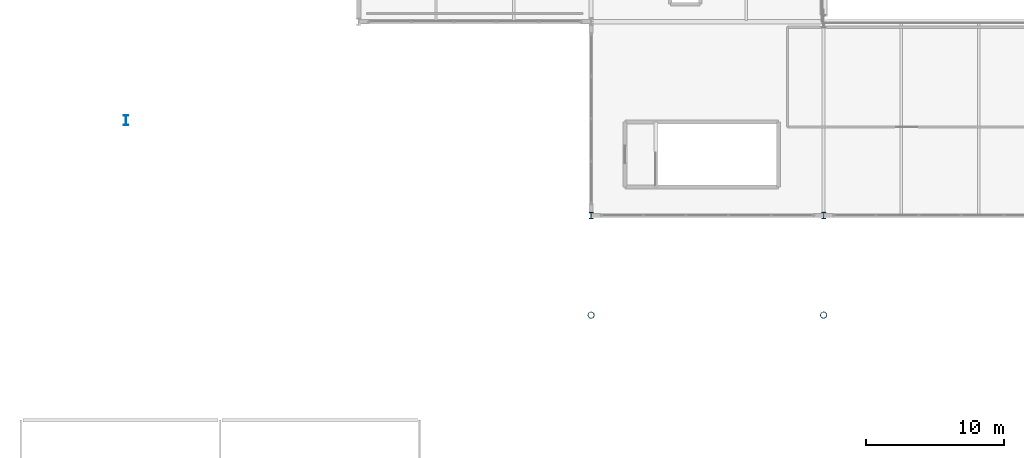
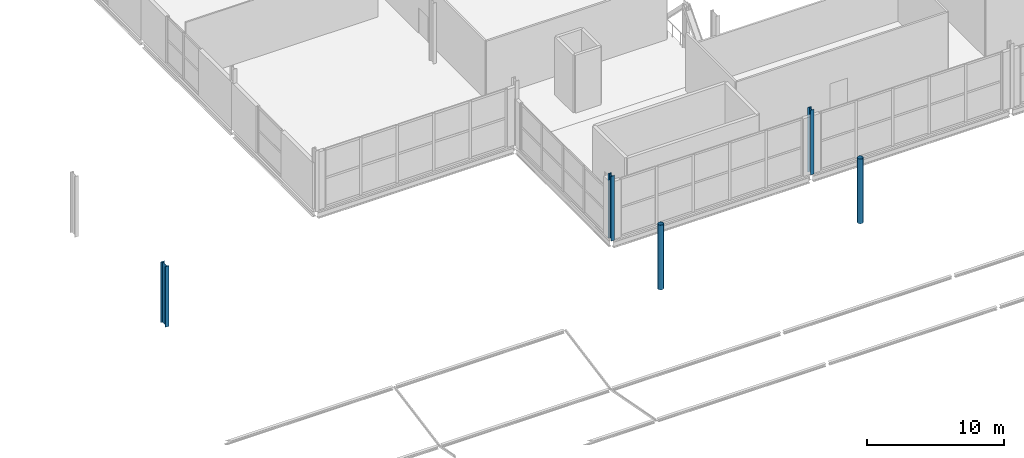
# One storey, part 1 of 84: 5 columns.
"""IFC4 building model written with IfcOpenShell, lengths in metres."""

from ifc_helpers import new_model, si_unit, direction, frame, origin, origin_2d, place, context, subcontext, project, spatial, hollow_circle, i_section, extrude, material, material_profile, profile_set, type_object, element, save


model = new_model("IFC4")

# Units and contexts
model_context = context("Model", 3, precision=1e-05, world=origin(), true_north=direction((0.0, 1.0)))
body_context = subcontext(model_context, "Body", "Model", "MODEL_VIEW")
ifc_project = project(units=[si_unit("LENGTHUNIT", "METRE"), si_unit("AREAUNIT", "SQUARE_METRE"), si_unit("VOLUMEUNIT", "CUBIC_METRE"), si_unit("PLANEANGLEUNIT", "RADIAN"), si_unit("MASSUNIT", "GRAM", prefix="KILO")], contexts=[model_context])

# Site, building, storey
site_placement = place(None, origin())
site = spatial("IfcSite", under=ifc_project, at=site_placement, CompositionType="ELEMENT")
building_placement = place(site_placement, origin())
building = spatial("IfcBuilding", under=site, at=building_placement, Name="Kimbaza Rail Terminus", CompositionType="ELEMENT")
storey_placement = place(building_placement, frame((0.0, 0.0, 5.39990234375)))
storey = spatial("IfcBuildingStorey", under=building, at=storey_placement, Name="L01", CompositionType="ELEMENT", Elevation=5.39990234375)

# Columns
ifc_material_1 = material(Name="White painted steel S355", Category="steel")
ifc_material_profile_1 = material_profile(ifc_material_1, hollow_circle(Radius=0.228515625, WallThickness=0.01611328125, at=origin_2d()), Name="CHS 457x16")
ifc_profile_set_1 = profile_set([ifc_material_profile_1], Name="White painted steel S355")
column_type_1 = type_object("IfcColumnType", Name="STR-COL-CHS457", PredefinedType="COLUMN", material=ifc_profile_set_1)
for number, where, z_axis, x_axis, name in (
    (1, (55.199951171875, 33.800048828125, 0.0), (0.0, 0.0, 1.0), (1.0, 0.0, 0.0), "Colonnade Column L01 #1"),
    (2, (72.0, 33.800048828125, 0.0), (0.0, 0.0, 1.0), (1.0, 0.0, 0.0), "Colonnade Column L01 #2"),
):
    element("IfcColumn", number, at=place(storey_placement, frame(where, z_axis=z_axis, x_axis=x_axis)), inside=storey, type_object=column_type_1, Name=name, PredefinedType="COLUMN", context=body_context, shape_type="SweptSolid", body=[
        extrude(hollow_circle(Radius=0.228515625, WallThickness=0.01611328125, at=origin_2d()), origin(), (0.0, 0.0, 1.0), 5.75),
    ])
ifc_material_2 = material(Name="Steel S355", Category="steel")
ifc_material_profile_2 = material_profile(ifc_material_2, i_section(OverallWidth=0.300048828125, OverallDepth=0.449951171875, WebThickness=0.013916015625, FlangeThickness=0.02587890625, FilletRadius=0.027099609375, at=origin_2d()), Name="HEB 450")
ifc_profile_set_2 = profile_set([ifc_material_profile_2], Name="Steel S355")
column_type_2 = type_object("IfcColumnType", Name="STR-COL-HEB450", PredefinedType="COLUMN", material=ifc_profile_set_2)
for number, where, z_axis, x_axis, name in (
    (3, (55.199951171875, 41.0, 0.0), (0.0, 0.0, 1.0), (1.0, 0.0, 0.0), "South Hall Column L01"),
    (4, (72.0, 41.0, 0.0), (0.0, 0.0, 1.0), (1.0, 0.0, 0.0), "South Hall Column L01"),
):
    element("IfcColumn", number, at=place(storey_placement, frame(where, z_axis=z_axis, x_axis=x_axis)), inside=storey, type_object=column_type_2, Name=name, PredefinedType="COLUMN", context=body_context, shape_type="SweptSolid", body=[
        extrude(i_section(OverallWidth=0.300048828125, OverallDepth=0.449951171875, WebThickness=0.013916015625, FlangeThickness=0.02587890625, FilletRadius=0.027099609375, at=origin_2d()), origin(), (0.0, 0.0, 1.0), 5.75),
    ])
ifc_material_3 = material(Name="Steel S355", Category="steel")
ifc_material_profile_3 = material_profile(ifc_material_3, i_section(OverallWidth=0.303955078125, OverallDepth=0.716064453125, WebThickness=0.02099609375, FlangeThickness=0.0400390625, FilletRadius=0.027099609375, at=origin_2d()), Name="HEM 700")
ifc_profile_set_3 = profile_set([ifc_material_profile_3], Name="Steel S355")
column_type_3 = type_object("IfcColumnType", Name="STR-COL-HEM700", PredefinedType="COLUMN", material=ifc_profile_set_3)
column_placement = place(storey_placement, frame((21.60009765625, 47.8759765625, 0.0), z_axis=(0.0, 0.0, 1.0), x_axis=(1.0, 0.0, 0.0)))
element("IfcColumn", 5, at=column_placement, inside=storey, type_object=column_type_3, Name="Viaduct Pier Column L01 VP-01", PredefinedType="COLUMN", context=body_context, shape_type="SweptSolid", body=[
    extrude(i_section(OverallWidth=0.303955078125, OverallDepth=0.716064453125, WebThickness=0.02099609375, FlangeThickness=0.0400390625, FilletRadius=0.027099609375, at=origin_2d()), origin(), (0.0, 0.0, 1.0), 5.400146484375),
])

save(model, "model.ifc")
